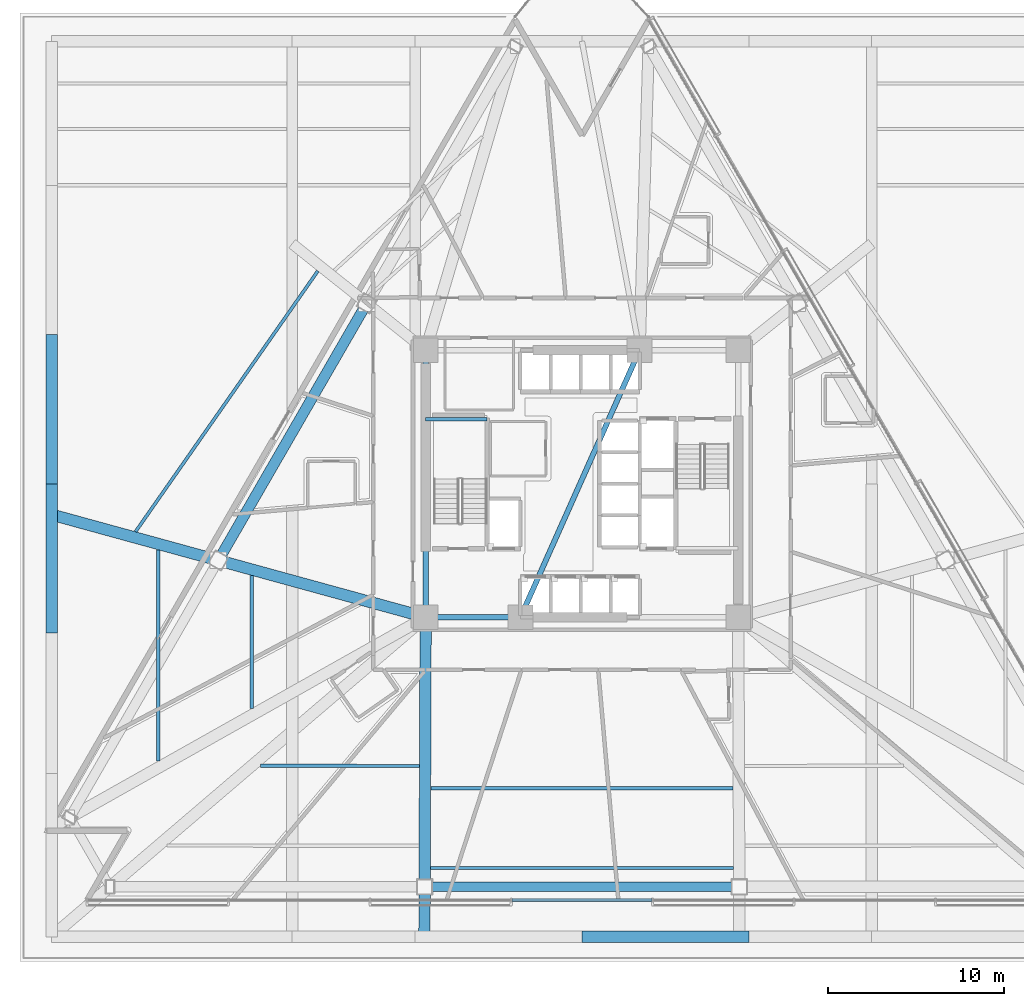
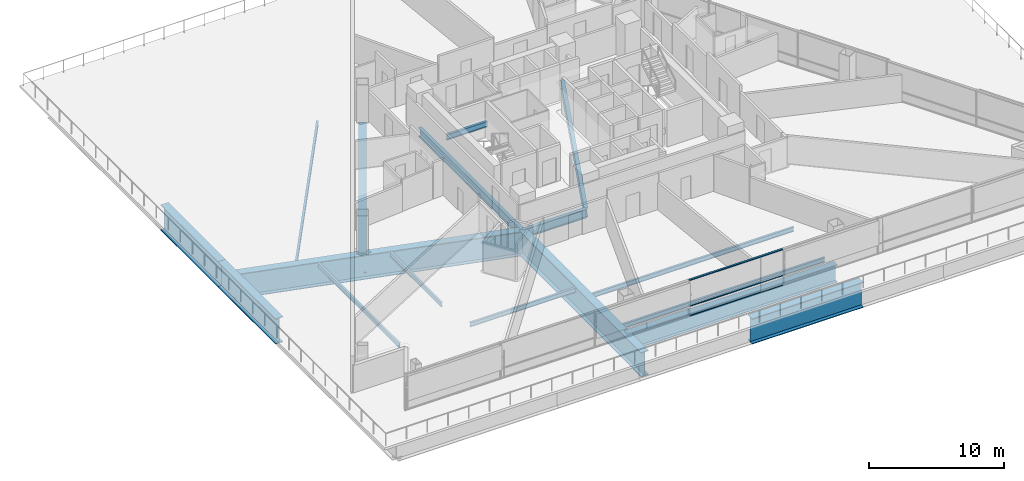
# One storey, part 3 of 19: 17 beams, 3 members, 1 element without a shape of its own.
"""IFC4 building model written with IfcOpenShell, lengths in metres."""

from ifc_helpers import new_model, si_unit, direction, frame, origin, origin_2d, place, context, subcontext, project, spatial, rectangle, i_section, extrude, material, layer, layer_set, material_profile, profile_set, type_object, element, aggregate, save


model = new_model("IFC4")

# Units and contexts
model_context = context("Model", 3, precision=1e-05, world=origin(), true_north=direction((0.0, 1.0)))
body_context = subcontext(model_context, "Body", "Model", "MODEL_VIEW")
ifc_project = project(units=[si_unit("LENGTHUNIT", "METRE"), si_unit("AREAUNIT", "SQUARE_METRE"), si_unit("VOLUMEUNIT", "CUBIC_METRE"), si_unit("PLANEANGLEUNIT", "RADIAN"), si_unit("MASSUNIT", "GRAM", prefix="KILO")], contexts=[model_context])

# Site, building, storey
site_placement = place(None, origin())
site = spatial("IfcSite", under=ifc_project, at=site_placement, CompositionType="ELEMENT")
building_placement = place(site_placement, origin())
building = spatial("IfcBuilding", under=site, at=building_placement, Name="Tharavind Bronze Gate", CompositionType="ELEMENT")
storey_placement = place(building_placement, frame((0.0, 0.0, 31.800048828125)))
storey = spatial("IfcBuildingStorey", under=building, at=storey_placement, Name="L06", CompositionType="ELEMENT", Elevation=31.800048828125)

# Curtain wall, members
ifc_material_1 = material(Name="Anodised Bronze Aluminium", Category="aluminium")
ifc_layer = layer(ifc_material_1, 0.219970703125)
ifc_layer_set = layer_set([ifc_layer], Name="Anodised Bronze Aluminium")
curtain_wall_type = type_object("IfcCurtainWallType", Name="UNITISED CURTAIN WALL HOTEL", PredefinedType="USERDEFINED", material=ifc_layer_set)
curtain_wall_placement = place(storey_placement, origin())
curtain_wall = element("IfcCurtainWall", 1, at=curtain_wall_placement, inside=storey, type_object=curtain_wall_type, Name="L06 unitised curtain wall hotel CW-L06-S2", ObjectType="UNITISED CURTAIN WALL", PredefinedType="USERDEFINED")
member_type = type_object("IfcMemberType", Name="CURTAIN WALL TRANSOM 80X160", PredefinedType="USERDEFINED", material=ifc_material_1)
member_1_placement = place(storey_placement, frame((0.0, -23.699951171875, 0.0), z_axis=(0.0, 0.0, 1.0), x_axis=(1.0, 0.0, 0.0)))
member_1 = element("IfcMember", 2, at=member_1_placement, type_object=member_type, Name="CW-L06-S2 transom TB4", ObjectType="TRANSOM", PredefinedType="USERDEFINED", context=body_context, shape_type="SweptSolid", body=[
    extrude(rectangle(XDim=7.982177734375, YDim=0.159912109375, at=origin_2d()), origin(), (0.0, 0.0, 1.0), 0.080078125),
])
member_2_placement = place(storey_placement, frame((0.0, -23.699951171875, 0.85986328125), z_axis=(0.0, 0.0, 1.0), x_axis=(1.0, 0.0, 0.0)))
member_2 = element("IfcMember", 3, at=member_2_placement, type_object=member_type, Name="CW-L06-S2 transom TS4", ObjectType="TRANSOM", PredefinedType="USERDEFINED", context=body_context, shape_type="SweptSolid", body=[
    extrude(rectangle(XDim=7.982177734375, YDim=0.159912109375, at=origin_2d()), origin(), (0.0, 0.0, 1.0), 0.080078125),
])
member_3_placement = place(storey_placement, frame((0.0, -23.699951171875, 3.19482421875), z_axis=(0.0, 0.0, 1.0), x_axis=(1.0, 0.0, 0.0)))
member_3 = element("IfcMember", 4, at=member_3_placement, type_object=member_type, Name="CW-L06-S2 transom TT4", ObjectType="TRANSOM", PredefinedType="USERDEFINED", context=body_context, shape_type="SweptSolid", body=[
    extrude(rectangle(XDim=7.982177734375, YDim=0.159912109375, at=origin_2d()), origin(), (0.0, 0.0, 1.0), 0.080078125),
])
aggregate(curtain_wall, [member_1, member_2, member_3])

# Beams
ifc_material_2 = material(Name="Steel S355", Category="steel")
ifc_material_profile_1 = material_profile(ifc_material_2, i_section(OverallWidth=0.199951171875, OverallDepth=0.5, WebThickness=0.01025390625, FlangeThickness=0.01611328125, at=origin_2d()), Name="IPE500")
ifc_profile_set_1 = profile_set([ifc_material_profile_1], Name="Steel S355")
beam_type_1 = type_object("IfcBeamType", Name="PRIMARY GIRDER IPE500", PredefinedType="USERDEFINED", material=ifc_profile_set_1)
beam_1_placement = place(storey_placement, frame((-8.89990234375, 3.679931640625, 1.27490234375), z_axis=(1.0, 0.0, 0.0), x_axis=(0.0, 1.0, 0.0)))
element("IfcBeam", 5, at=beam_1_placement, inside=storey, type_object=beam_type_1, Name="L06 primary girder ipe500 BM-LD-ST1-L06-1", ObjectType="GIRDER", PredefinedType="USERDEFINED", context=body_context, shape_type="SweptSolid", body=[
    extrude(i_section(OverallWidth=0.199951171875, OverallDepth=0.5, WebThickness=0.01025390625, FlangeThickness=0.01611328125, at=origin_2d()), origin(), (0.0, 0.0, 1.0), 3.5),
])
ifc_material_profile_2 = material_profile(ifc_material_2, i_section(OverallWidth=0.300048828125, OverallDepth=0.800048828125, WebThickness=0.017578125, FlangeThickness=0.032958984375, at=origin_2d()), Name="HE800B")
ifc_profile_set_2 = profile_set([ifc_material_profile_2], Name="Steel S355")
beam_type_2 = type_object("IfcBeamType", Name="RING GIRDER HE800B", PredefinedType="USERDEFINED", material=ifc_profile_set_2)
beam_2_placement = place(storey_placement, frame((-8.89990234375, -7.60009765625, -0.594970703125), z_axis=(1.0, 0.0, 0.0), x_axis=(0.0, 1.0, 0.0)))
element("IfcBeam", 6, at=beam_2_placement, inside=storey, type_object=beam_type_2, Name="L06 ring girder he800b BM-L06-CR1", ObjectType="GIRDER", PredefinedType="USERDEFINED", context=body_context, shape_type="SweptSolid", body=[
    extrude(i_section(OverallWidth=0.300048828125, OverallDepth=0.800048828125, WebThickness=0.017578125, FlangeThickness=0.032958984375, at=origin_2d()), origin(), (0.0, 0.0, 1.0), 5.39990234375),
])
beam_3_placement = place(storey_placement, frame((-8.89990234375, 7.60009765625, -0.594970703125), z_axis=(0.0, -1.0, 0.0), x_axis=(1.0, 0.0, 0.0)))
element("IfcBeam", 7, at=beam_3_placement, inside=storey, type_object=beam_type_2, Name="L06 ring girder he800b BM-L06-CR6", ObjectType="GIRDER", PredefinedType="USERDEFINED", context=body_context, shape_type="SweptSolid", body=[
    extrude(i_section(OverallWidth=0.300048828125, OverallDepth=0.800048828125, WebThickness=0.017578125, FlangeThickness=0.032958984375, at=origin_2d()), origin(), (0.0, 0.0, 1.0), 15.2001953125),
])
beam_4_placement = place(storey_placement, frame((-3.5, -7.60009765625, -0.594970703125), z_axis=(0.407361644566, 0.913266932795, 0.0), x_axis=(-0.913266932795, 0.407361644566, 0.0)))
element("IfcBeam", 8, at=beam_4_placement, inside=storey, type_object=beam_type_2, Name="L06 ring girder he800b BM-L06-CR7", ObjectType="GIRDER", PredefinedType="USERDEFINED", context=body_context, shape_type="SweptSolid", body=[
    extrude(i_section(OverallWidth=0.300048828125, OverallDepth=0.800048828125, WebThickness=0.017578125, FlangeThickness=0.032958984375, at=origin_2d()), origin(), (0.0, 0.0, 1.0), 16.643798828125),
])
ifc_material_profile_3 = material_profile(ifc_material_2, i_section(OverallWidth=0.179931640625, OverallDepth=0.39990234375, WebThickness=0.008544921875, FlangeThickness=0.013427734375, at=origin_2d()), Name="IPE400")
ifc_profile_set_3 = profile_set([ifc_material_profile_3], Name="Steel S355")
beam_type_3 = type_object("IfcBeamType", Name="SECONDARY FLOOR JOIST IPE400", PredefinedType="JOIST", material=ifc_profile_set_3)
beam_5_placement = place(storey_placement, frame((-15.04052734375, 12.1171875, -0.39501953125), z_axis=(-0.573070575414, -0.819506019254, 0.0), x_axis=(0.819506019254, -0.573070575414, 0.0)))
element("IfcBeam", 9, at=beam_5_placement, inside=storey, type_object=beam_type_3, Name="L06 secondary floor joist ipe400 BM-L06-JSTB02", PredefinedType="JOIST", context=body_context, shape_type="SweptSolid", body=[
    extrude(i_section(OverallWidth=0.179931640625, OverallDepth=0.39990234375, WebThickness=0.008544921875, FlangeThickness=0.013427734375, at=origin_2d()), origin(), (0.0, 0.0, 1.0), 18.11279296875),
])
beam_6_placement = place(storey_placement, frame((-18.804443359375, -5.223388671875, -0.39501953125), z_axis=(0.0, -1.0, 0.0), x_axis=(1.0, 0.0, 0.0)))
element("IfcBeam", 10, at=beam_6_placement, inside=storey, type_object=beam_type_3, Name="L06 secondary floor joist ipe400 BM-L06-JSTA03", PredefinedType="JOIST", context=body_context, shape_type="SweptSolid", body=[
    extrude(i_section(OverallWidth=0.179931640625, OverallDepth=0.39990234375, WebThickness=0.008544921875, FlangeThickness=0.013427734375, at=origin_2d()), origin(), (0.0, 0.0, 1.0), 7.57421875),
])
beam_7_placement = place(storey_placement, frame((-24.12939453125, -3.762451171875, -0.39501953125), z_axis=(0.0, -1.0, 0.0), x_axis=(1.0, 0.0, 0.0)))
element("IfcBeam", 11, at=beam_7_placement, inside=storey, type_object=beam_type_3, Name="L06 secondary floor joist ipe400 BM-L06-JSTB03", PredefinedType="JOIST", context=body_context, shape_type="SweptSolid", body=[
    extrude(i_section(OverallWidth=0.179931640625, OverallDepth=0.39990234375, WebThickness=0.008544921875, FlangeThickness=0.013427734375, at=origin_2d()), origin(), (0.0, 0.0, 1.0), 12.031982421875),
])
beam_8_placement = place(storey_placement, frame((-18.30029296875, -16.0576171875, -0.39501953125), z_axis=(0.999999839134, -0.000567214883, 0.0), x_axis=(0.000567214883, 0.999999839134, 0.0)))
element("IfcBeam", 12, at=beam_8_placement, inside=storey, type_object=beam_type_3, Name="L06 secondary floor joist ipe400 BM-L06-JSTA05", PredefinedType="JOIST", context=body_context, shape_type="SweptSolid", body=[
    extrude(i_section(OverallWidth=0.179931640625, OverallDepth=0.39990234375, WebThickness=0.008544921875, FlangeThickness=0.013427734375, at=origin_2d()), origin(), (0.0, 0.0, 1.0), 9.038818359375),
])
beam_9_placement = place(storey_placement, frame((-8.6083984375, -17.3369140625, -0.39501953125), z_axis=(1.0, 0.0, 0.0), x_axis=(0.0, 1.0, 0.0)))
element("IfcBeam", 13, at=beam_9_placement, inside=storey, type_object=beam_type_3, Name="L06 secondary floor joist ipe400 BM-L06-JSTA06", PredefinedType="JOIST", context=body_context, shape_type="SweptSolid", body=[
    extrude(i_section(OverallWidth=0.179931640625, OverallDepth=0.39990234375, WebThickness=0.008544921875, FlangeThickness=0.013427734375, at=origin_2d()), origin(), (0.0, 0.0, 1.0), 17.216796875),
])
beam_10_placement = place(storey_placement, frame((-8.625732421875, -21.886962890625, -0.39501953125), z_axis=(1.0, 0.0, 0.0), x_axis=(0.0, 1.0, 0.0)))
element("IfcBeam", 14, at=beam_10_placement, inside=storey, type_object=beam_type_3, Name="L06 secondary floor joist ipe400 BM-L06-JSTB06", PredefinedType="JOIST", context=body_context, shape_type="SweptSolid", body=[
    extrude(i_section(OverallWidth=0.179931640625, OverallDepth=0.39990234375, WebThickness=0.008544921875, FlangeThickness=0.013427734375, at=origin_2d()), origin(), (0.0, 0.0, 1.0), 17.25146484375),
])
ifc_material_3 = material(Name="Steel S460", Category="steel")
ifc_material_profile_4 = material_profile(ifc_material_3, i_section(OverallWidth=0.550048828125, OverallDepth=1.60009765625, WebThickness=0.030029296875, FlangeThickness=0.050048828125, at=origin_2d()), Name="PG1600X550")
ifc_profile_set_4 = profile_set([ifc_material_profile_4], Name="Steel S460")
beam_type_4 = type_object("IfcBeamType", Name="TRANSFER GIRDER 1600X550", PredefinedType="USERDEFINED", material=ifc_profile_set_4)
beam_11_placement = place(storey_placement, frame((-8.958984375, -22.949951171875, -0.9951171875), z_axis=(1.0, 0.0, 0.0), x_axis=(0.0, 1.0, 0.0)))
element("IfcBeam", 15, at=beam_11_placement, inside=storey, type_object=beam_type_4, Name="L06 transfer girder 1600x550 BM-L06-URG06", ObjectType="TRANSFER GIRDER", PredefinedType="USERDEFINED", context=body_context, shape_type="SweptSolid", body=[
    extrude(i_section(OverallWidth=0.550048828125, OverallDepth=1.60009765625, WebThickness=0.030029296875, FlangeThickness=0.050048828125, at=origin_2d()), origin(), (0.0, 0.0, 1.0), 17.91796875),
])
ifc_material_profile_5 = material_profile(ifc_material_3, i_section(OverallWidth=0.60009765625, OverallDepth=1.800048828125, WebThickness=0.031982421875, FlangeThickness=0.054931640625, at=origin_2d()), Name="PG1800X600")
ifc_profile_set_5 = profile_set([ifc_material_profile_5], Name="Steel S460")
beam_type_5 = type_object("IfcBeamType", Name="TRANSFER GIRDER 1800X600", PredefinedType="USERDEFINED", material=ifc_profile_set_5)
beam_12_placement = place(storey_placement, frame((-12.252197265625, 10.278564453125, -1.094970703125), z_axis=(-0.50000832373, -0.866020598023, 0.0), x_axis=(0.866020598023, -0.50000832373, 0.0)))
element("IfcBeam", 16, at=beam_12_placement, inside=storey, type_object=beam_type_5, Name="L06 transfer girder 1800x600 BM-L06-URG02", ObjectType="TRANSFER GIRDER", PredefinedType="USERDEFINED", context=body_context, shape_type="SweptSolid", body=[
    extrude(i_section(OverallWidth=0.60009765625, OverallDepth=1.800048828125, WebThickness=0.031982421875, FlangeThickness=0.054931640625, at=origin_2d()), origin(), (0.0, 0.0, 1.0), 16.904541015625),
])
ifc_material_profile_6 = material_profile(ifc_material_3, i_section(OverallWidth=0.64990234375, OverallDepth=2.199951171875, WebThickness=0.035888671875, FlangeThickness=0.054931640625, at=origin_2d()), Name="PG2200X650")
ifc_profile_set_6 = profile_set([ifc_material_profile_6], Name="Steel S460")
beam_type_6 = type_object("IfcBeamType", Name="TRANSFER GIRDER 2200X650", PredefinedType="USERDEFINED", material=ifc_profile_set_6)
beam_13_placement = place(storey_placement, frame((-8.89990234375, -7.60009765625, -1.295166015625), z_axis=(-0.964358893863, 0.264597664064, 0.0), x_axis=(-0.264597664064, -0.964358893863, 0.0)))
element("IfcBeam", 17, at=beam_13_placement, inside=storey, type_object=beam_type_6, Name="L06 transfer girder 2200x650 BM-L06-XFR03", ObjectType="TRANSFER GIRDER", PredefinedType="USERDEFINED", context=body_context, shape_type="SweptSolid", body=[
    extrude(i_section(OverallWidth=0.64990234375, OverallDepth=2.199951171875, WebThickness=0.035888671875, FlangeThickness=0.054931640625, at=origin_2d()), origin(), (0.0, 0.0, 1.0), 22.087158203125),
])
beam_14_placement = place(storey_placement, frame((-8.89990234375, -7.60009765625, -1.295166015625), z_axis=(-0.003836477595, -0.999992640693, 0.0), x_axis=(0.999992640693, -0.003836477595, 0.0)))
element("IfcBeam", 18, at=beam_14_placement, inside=storey, type_object=beam_type_6, Name="L06 transfer girder 2200x650 BM-L06-XFR06", ObjectType="TRANSFER GIRDER", PredefinedType="USERDEFINED", context=body_context, shape_type="SweptSolid", body=[
    extrude(i_section(OverallWidth=0.64990234375, OverallDepth=2.199951171875, WebThickness=0.035888671875, FlangeThickness=0.054931640625, at=origin_2d()), origin(), (0.0, 0.0, 1.0), 18.2001953125),
])
ifc_material_profile_7 = material_profile(ifc_material_3, i_section(OverallWidth=0.64990234375, OverallDepth=2.300048828125, WebThickness=0.035888671875, FlangeThickness=0.05810546875, at=origin_2d()), Name="PG2300X650")
ifc_profile_set_7 = profile_set([ifc_material_profile_7], Name="Steel S460")
beam_type_7 = type_object("IfcBeamType", Name="TRANSFER GIRDER 2300X650", PredefinedType="USERDEFINED", material=ifc_profile_set_7)
beam_15_placement = place(storey_placement, frame((0.0, -25.800048828125, -1.344970703125), z_axis=(1.0, 0.0, 0.0), x_axis=(0.0, 1.0, 0.0)))
element("IfcBeam", 19, at=beam_15_placement, inside=storey, type_object=beam_type_7, Name="L06 transfer girder 2300x650 BM-L06-PS4", ObjectType="TRANSFER GIRDER", PredefinedType="USERDEFINED", context=body_context, shape_type="SweptSolid", body=[
    extrude(i_section(OverallWidth=0.64990234375, OverallDepth=2.300048828125, WebThickness=0.035888671875, FlangeThickness=0.05810546875, at=origin_2d()), origin(), (0.0, 0.0, 1.0), 9.5),
])
for number, where, z_axis, x_axis, name in (
    (20, (-30.199951171875, -8.5, -1.344970703125), (0.0, 1.0, 0.0), (-1.0, 0.0, 0.0), "L06 transfer girder 2300x650 BM-L06-PW3"),
    (21, (-30.199951171875, 0.0, -1.344970703125), (0.0, 1.0, 0.0), (-1.0, 0.0, 0.0), "L06 transfer girder 2300x650 BM-L06-PW4"),
):
    element("IfcBeam", number, at=place(storey_placement, frame(where, z_axis=z_axis, x_axis=x_axis)), inside=storey, type_object=beam_type_7, Name=name, ObjectType="TRANSFER GIRDER", PredefinedType="USERDEFINED", context=body_context, shape_type="SweptSolid", body=[
        extrude(i_section(OverallWidth=0.64990234375, OverallDepth=2.300048828125, WebThickness=0.035888671875, FlangeThickness=0.05810546875, at=origin_2d()), origin(), (0.0, 0.0, 1.0), 8.5),
    ])

save(model, "model.ifc")
